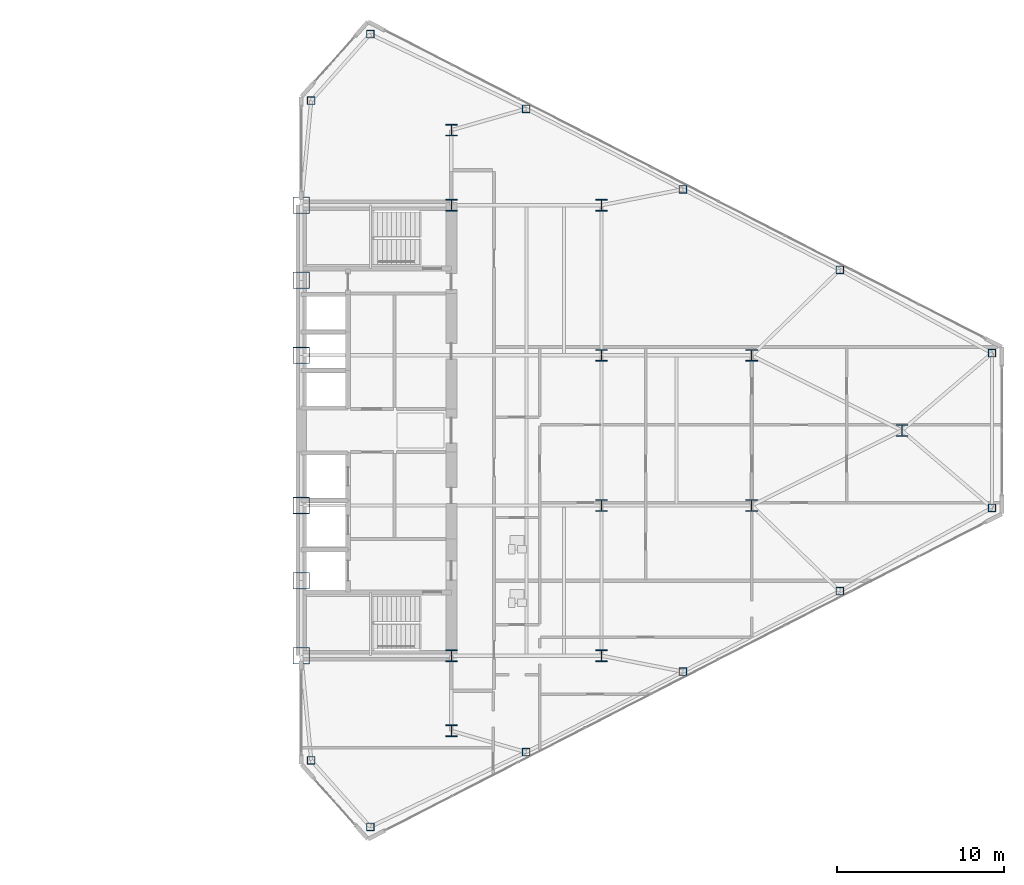
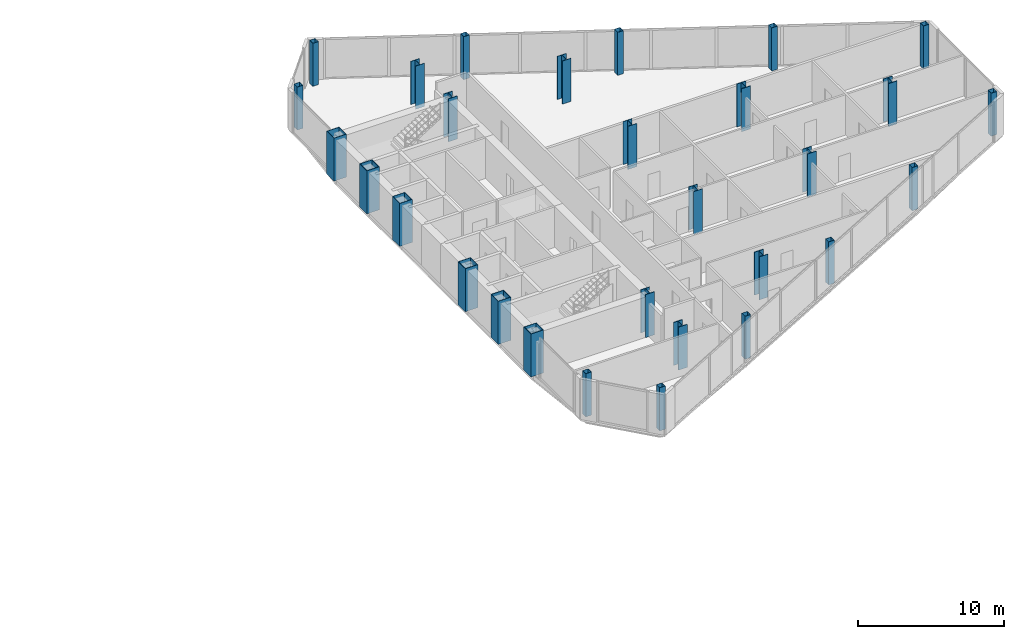
# One storey, part 2 of 23: 29 columns.
"""IFC4 building model written with IfcOpenShell, lengths in metres."""

import ifcopenshell
import ifcopenshell.guid

model = None  # the IFC model being written
_history = None  # IfcOwnerHistory: only IFC2X3 demands one
_inside = {}  # id of a spatial element -> (the spatial element, [elements in it])
_under = {}  # id of a project, library or spatial element -> (it, [spatial elements below it])
_declared = {}  # id of a project -> (the project, [libraries it declares])
_typed = {}  # id of a type object -> (the type object, [elements of that type])
_made_of = {}  # id of a material, layer set ... -> (it, [elements and type objects made of it])


def new_model(schema):
    """Start an empty IFC model of exactly this schema.

    Asked for "IFC4X3", IfcOpenShell would pick the latest addendum, in which some entities
    have other attributes; the version numbers below select the first issue.
    IFC2X3 requires an IfcOwnerHistory on every rooted entity: one is made here for all.
    """
    global model, _history
    if schema == "IFC4X3":
        model = ifcopenshell.file(schema_version=(4, 3, 0, 0))
    else:
        model = ifcopenshell.file(schema=schema)
    _inside.clear()
    _under.clear()
    _declared.clear()
    _typed.clear()
    _made_of.clear()
    _history = None
    if model.schema == "IFC2X3":
        org = make("IfcOrganization", Name="unknown")
        user = make(
            "IfcPersonAndOrganization",
            ThePerson=make("IfcPerson", FamilyName="unknown"),
            TheOrganization=org,
        )
        app = make(
            "IfcApplication",
            ApplicationDeveloper=org,
            Version="unknown",
            ApplicationFullName="unknown",
            ApplicationIdentifier="unknown",
        )
        _history = make(
            "IfcOwnerHistory",
            OwningUser=user,
            OwningApplication=app,
            ChangeAction="ADDED",
            CreationDate=0,
        )
    return model


def make(cls, **values):
    """One entity of the class cls with the attributes given. An attribute that is None is left unset."""
    return model.create_entity(
        cls, **{name: value for name, value in values.items() if value is not None}
    )


def rooted(cls, **values):
    """An entity with a GlobalId (a new one), such as an element, a storey or a relation."""
    return make(cls, GlobalId=ifcopenshell.guid.new(), OwnerHistory=_history, **values)


def si_unit(unit_type, name, prefix=None):
    """IfcSIUnit, for example si_unit("LENGTHUNIT", "METRE", prefix="MILLI")."""
    return make("IfcSIUnit", UnitType=unit_type, Prefix=prefix, Name=name)


def assignment(units):
    """IfcUnitAssignment: the units of a project."""
    return None if units is None else make("IfcUnitAssignment", Units=units)


def point(xyz):
    """IfcCartesianPoint."""
    return None if xyz is None else make("IfcCartesianPoint", Coordinates=xyz)


def direction(xyz):
    """IfcDirection."""
    return None if xyz is None else make("IfcDirection", DirectionRatios=xyz)


def frame(location, z_axis=None, x_axis=None):
    """IfcAxis2Placement3D, a coordinate frame: its origin and axes. An axis left out is left unset."""
    return make(
        "IfcAxis2Placement3D",
        Location=point(location),
        Axis=direction(z_axis),
        RefDirection=direction(x_axis),
    )


def frame_2d(location, x_axis=None):
    """IfcAxis2Placement2D, a coordinate frame in the plane: its origin and x axis."""
    return make(
        "IfcAxis2Placement2D", Location=point(location), RefDirection=direction(x_axis)
    )


def origin():
    """The frame at (0, 0, 0) with its axes left unset."""
    return frame((0.0, 0.0, 0.0))


def origin_2d():
    """The frame at (0, 0) in the plane with its x axis left unset."""
    return frame_2d((0.0, 0.0))


def place(relative_to, where):
    """IfcLocalPlacement: puts the frame where relative to a parent placement (None: the world)."""
    return make(
        "IfcLocalPlacement", PlacementRelTo=relative_to, RelativePlacement=where
    )


def context(
    kind, dimensions, precision=None, world=None, true_north=None, identifier=None
):
    """IfcGeometricRepresentationContext, for example the 3D "Model" context."""
    return make(
        "IfcGeometricRepresentationContext",
        ContextIdentifier=identifier,
        ContextType=kind,
        CoordinateSpaceDimension=dimensions,
        Precision=precision,
        WorldCoordinateSystem=world,
        TrueNorth=true_north,
    )


def subcontext(parent, identifier, kind, view, scale=None):
    """IfcGeometricRepresentationSubContext, for example "Body" below "Model"."""
    return make(
        "IfcGeometricRepresentationSubContext",
        ContextIdentifier=identifier,
        ContextType=kind,
        ParentContext=parent,
        TargetScale=scale,
        TargetView=view,
    )


def project(units=None, contexts=None):
    """IfcProject with its units and contexts."""
    return rooted(
        "IfcProject",
        Name="project",
        RepresentationContexts=contexts,
        UnitsInContext=assignment(units),
    )


def spatial(cls, under=None, at=None, **own):
    """A site, building, storey or space (cls), placed at a placement, below another one or the project."""
    s = rooted(cls, ObjectPlacement=at, **own)
    if under is not None:
        _under.setdefault(under.id(), (under, []))[1].append(s)
    return s


def profile(cls, at=None, kind="AREA", **sizes):
    """A parametric profile (cls). Its sizes go by their IFC names, for example OverallWidth=200.0."""
    return make(cls, ProfileType=kind, Position=at, **sizes)


def hollow_rectangle(**sizes):
    """IfcRectangleHollowProfileDef."""
    return profile("IfcRectangleHollowProfileDef", **sizes)


def i_section(**sizes):
    """IfcIShapeProfileDef."""
    return profile("IfcIShapeProfileDef", **sizes)


def extrude(swept, where, along, depth):
    """IfcExtrudedAreaSolid: the profile swept, set in the frame where, extruded along a direction by depth."""
    return make(
        "IfcExtrudedAreaSolid",
        SweptArea=swept,
        Position=where,
        ExtrudedDirection=direction(along),
        Depth=depth,
    )


def shape(context_of_items, identifier, shape_type, items):
    """IfcShapeRepresentation: the items that make up one representation, for example the "Body"."""
    return make(
        "IfcShapeRepresentation",
        ContextOfItems=context_of_items,
        RepresentationIdentifier=identifier,
        RepresentationType=shape_type,
        Items=items,
    )


def source(mapping_origin, context_of_items, identifier, shape_type, items):
    """IfcRepresentationMap: a shape defined once, which mapped items show again and again."""
    return make(
        "IfcRepresentationMap",
        MappingOrigin=mapping_origin,
        MappedRepresentation=shape(context_of_items, identifier, shape_type, items),
    )


def transform(
    local_origin,
    x_axis=None,
    y_axis=None,
    z_axis=None,
    scale=None,
    scale2=None,
    scale3=None,
    uniform=True,
):
    """IfcCartesianTransformationOperator3D, or its non-uniform kind. x_axis, y_axis, z_axis: its Axis1, 2, 3."""
    if uniform:
        return make(
            "IfcCartesianTransformationOperator3D",
            Axis1=direction(x_axis),
            Axis2=direction(y_axis),
            LocalOrigin=point(local_origin),
            Scale=scale,
            Axis3=direction(z_axis),
        )
    return make(
        "IfcCartesianTransformationOperator3DnonUniform",
        Axis1=direction(x_axis),
        Axis2=direction(y_axis),
        LocalOrigin=point(local_origin),
        Scale=scale,
        Axis3=direction(z_axis),
        Scale2=scale2,
        Scale3=scale3,
    )


def mapped(mapping_source, mapping_target):
    """IfcMappedItem: shows the shape of a source again, moved by a transform."""
    return make(
        "IfcMappedItem", MappingSource=mapping_source, MappingTarget=mapping_target
    )


def material(Name=None, Category=None):
    """IfcMaterial."""
    return make("IfcMaterial", Name=Name, Category=Category)


def material_profile(
    of_material, cross_section, Name=None, Category=None, Priority=None
):
    """IfcMaterialProfile: a cross section and its material."""
    return make(
        "IfcMaterialProfile",
        Name=Name,
        Material=of_material,
        Profile=cross_section,
        Priority=Priority,
        Category=Category,
    )


def profile_set(profiles, Name=None, composite=None):
    """IfcMaterialProfileSet."""
    return make(
        "IfcMaterialProfileSet",
        Name=Name,
        MaterialProfiles=profiles,
        CompositeProfile=composite,
    )


def made_of(thing, what):
    """Note that an element or type object is made of a material, layer set ...; save() writes the relation."""
    if what is not None:
        _made_of.setdefault(what.id(), (what, []))[1].append(thing)
    return thing


def type_object(cls, material=None, **own):
    """A type object (cls), such as IfcWallType, which elements share."""
    return made_of(rooted(cls, **own), material)


def type_shapes(of_type, sources):
    """Give a type object the sources (RepresentationMaps) that its elements show as mapped items."""
    of_type.RepresentationMaps = sources


def element(
    cls,
    number,
    at=None,
    inside=None,
    cuts=None,
    type_object=None,
    material=None,
    context=None,
    identifier="Body",
    shape_type=None,
    held_by="IfcProductDefinitionShape",
    body=None,
    shapes=None,
    **own,
):
    """One element of the class cls, such as IfcWall. Its Tag is "e" and its number.

    at: its placement. inside: the storey or other place that contains it. cuts: it is an
    opening in that element (IfcRelVoidsElement). A single representation is given by context,
    identifier, shape_type and body (its items); several are given by shapes. held_by: the class
    of the entity that holds the representations. save() writes the other relations.
    """
    e = rooted(cls, Tag="e%d" % number, ObjectPlacement=at, **own)
    if body is not None:
        shapes = [shape(context, identifier, shape_type, body)]
    if shapes is not None:
        e.Representation = make(held_by, Representations=shapes)
    if inside is not None:
        _inside.setdefault(inside.id(), (inside, []))[1].append(e)
    if cuts is not None:
        rooted(
            "IfcRelVoidsElement", RelatingBuildingElement=cuts, RelatedOpeningElement=e
        )
    if type_object is not None:
        _typed.setdefault(type_object.id(), (type_object, []))[1].append(e)
    return made_of(e, material)


def aggregate(whole, parts):
    """IfcRelAggregates: a whole, such as a stair, and the parts it consists of."""
    return rooted("IfcRelAggregates", RelatingObject=whole, RelatedObjects=parts)


def save(model, path):
    """Write the relations noted so far, then the file.

    IfcRelAggregates (storeys below a building ...), IfcRelContainedInSpatialStructure (elements
    in a storey), IfcRelDefinesByType, IfcRelAssociatesMaterial and IfcRelDeclares: one each for
    every whole, place, type object, material and project.
    """
    for whole, parts in _under.values():
        aggregate(whole, parts)
    for where, things in _inside.values():
        rooted(
            "IfcRelContainedInSpatialStructure",
            RelatedElements=things,
            RelatingStructure=where,
        )
    for kind, things in _typed.values():
        rooted("IfcRelDefinesByType", RelatedObjects=things, RelatingType=kind)
    for what, things in _made_of.values():
        rooted("IfcRelAssociatesMaterial", RelatedObjects=things, RelatingMaterial=what)
    for by, libraries in _declared.values():
        rooted("IfcRelDeclares", RelatingContext=by, RelatedDefinitions=libraries)
    model.write(path)


model = new_model("IFC4")

# Units and contexts
model_context = context("Model", 3, precision=1e-05, world=origin(), true_north=direction((0.0, 1.0)))
body_context = subcontext(model_context, "Body", "Model", "MODEL_VIEW")
ifc_project = project(units=[si_unit("LENGTHUNIT", "METRE"), si_unit("AREAUNIT", "SQUARE_METRE"), si_unit("VOLUMEUNIT", "CUBIC_METRE"), si_unit("PLANEANGLEUNIT", "RADIAN"), si_unit("MASSUNIT", "GRAM", prefix="KILO")], contexts=[model_context])

# Site, building, storey
site_placement = place(None, origin())
site = spatial("IfcSite", under=ifc_project, at=site_placement, CompositionType="ELEMENT")
building_placement = place(site_placement, origin())
building = spatial("IfcBuilding", under=site, at=building_placement, Name="Seokmaru Belvedere", CompositionType="ELEMENT")
storey_placement = place(building_placement, frame((0.0, 0.0, 128.39990234375)))
storey = spatial("IfcBuildingStorey", under=building, at=storey_placement, Name="L34", CompositionType="ELEMENT", Elevation=128.39990234375)

# Columns
ifc_material_1 = material(Name="Steel HSA650 (650 MPa)", Category="steel")
ifc_material_profile_1 = material_profile(ifc_material_1, hollow_rectangle(XDim=1.0, YDim=1.0, WallThickness=0.0419921875, at=origin_2d()), Name="BOX-1000x1000x42")
ifc_profile_set_1 = profile_set([ifc_material_profile_1], Name="Steel HSA650 (650 MPa)")
column_type_1 = type_object("IfcColumnType", Name="Portal Spine Column BOX-1000", PredefinedType="COLUMN", material=ifc_profile_set_1)
shared_shape_1 = source(origin(), body_context, "Body", "SweptSolid", [
    extrude(hollow_rectangle(XDim=1.0, YDim=1.0, WallThickness=0.0419921875, at=origin_2d()), origin(), (0.0, 0.0, 1.0), 3.60009765625),
])
type_shapes(column_type_1, [shared_shape_1])
for number, where, z_axis, x_axis, name in (
    (1, (27.5, -13.5, 0.0), (0.0, 0.0, 1.0), (1.0, 0.0, 0.0), "L34 Column ES1"),
    (2, (27.5, -9.0, 0.0), (0.0, 0.0, 1.0), (1.0, 0.0, 0.0), "L34 Column ES2"),
    (3, (27.5, -4.5, 0.0), (0.0, 0.0, 1.0), (1.0, 0.0, 0.0), "L34 Column ES3"),
    (4, (27.5, 4.5, 0.0), (0.0, 0.0, 1.0), (1.0, 0.0, 0.0), "L34 Column ES4"),
    (5, (27.5, 9.0, 0.0), (0.0, 0.0, 1.0), (1.0, 0.0, 0.0), "L34 Column ES5"),
    (6, (27.5, 13.5, 0.0), (0.0, 0.0, 1.0), (1.0, 0.0, 0.0), "L34 Column ES6"),
):
    element("IfcColumn", number, at=place(storey_placement, frame(where, z_axis=z_axis, x_axis=x_axis)), inside=storey, type_object=column_type_1, Name=name, PredefinedType="COLUMN", context=body_context, shape_type="MappedRepresentation", body=[
        mapped(shared_shape_1, transform((0.0, 0.0, 0.0), scale=1.0)),
    ])
ifc_material_2 = material(Name="Steel SM355 (355 MPa)", Category="steel")
ifc_material_profile_2 = material_profile(ifc_material_2, i_section(OverallWidth=0.699951171875, OverallDepth=0.699951171875, WebThickness=0.028076171875, FlangeThickness=0.044921875, at=origin_2d()), Name="H-700x700x28x45")
ifc_profile_set_2 = profile_set([ifc_material_profile_2], Name="Steel SM355 (355 MPa)")
column_type_2 = type_object("IfcColumnType", Name="Mid Interior Column H-700", PredefinedType="COLUMN", material=ifc_profile_set_2)
shared_shape_2 = source(origin(), body_context, "Body", "SweptSolid", [
    extrude(i_section(OverallWidth=0.699951171875, OverallDepth=0.699951171875, WebThickness=0.028076171875, FlangeThickness=0.044921875, at=origin_2d()), origin(), (0.0, 0.0, 1.0), 3.60009765625),
])
type_shapes(column_type_2, [shared_shape_2])
for number, where, z_axis, x_axis, name in (
    (7, (36.5, -18.0, 0.0), (0.0, 0.0, 1.0), (1.0, 0.0, 0.0), "L34 Column EC1"),
    (8, (36.5, -13.5, 0.0), (0.0, 0.0, 1.0), (1.0, 0.0, 0.0), "L34 Column EC2"),
    (9, (36.5, 13.5, 0.0), (0.0, 0.0, 1.0), (1.0, 0.0, 0.0), "L34 Column EC3"),
    (10, (36.5, 18.0, 0.0), (0.0, 0.0, 1.0), (1.0, 0.0, 0.0), "L34 Column EC4"),
    (11, (45.5, -13.5, 0.0), (0.0, 0.0, 1.0), (1.0, 0.0, 0.0), "L34 Column EG5_1"),
    (12, (45.5, -4.5, 0.0), (0.0, 0.0, 1.0), (1.0, 0.0, 0.0), "L34 Column EG5_2"),
    (13, (45.5, 4.5, 0.0), (0.0, 0.0, 1.0), (1.0, 0.0, 0.0), "L34 Column EG5_3"),
    (14, (45.5, 13.5, 0.0), (0.0, 0.0, 1.0), (1.0, 0.0, 0.0), "L34 Column EG5_4"),
    (15, (54.5, -4.5, 0.0), (0.0, 0.0, 1.0), (1.0, 0.0, 0.0), "L34 Column EG4P_1"),
    (16, (54.5, 4.5, 0.0), (0.0, 0.0, 1.0), (1.0, 0.0, 0.0), "L34 Column EG4P_2"),
    (17, (63.5, 0.0, 0.0), (0.0, 0.0, 1.0), (1.0, 0.0, 0.0), "L34 Column EG3P_1"),
):
    element("IfcColumn", number, at=place(storey_placement, frame(where, z_axis=z_axis, x_axis=x_axis)), inside=storey, type_object=column_type_2, Name=name, PredefinedType="COLUMN", context=body_context, shape_type="MappedRepresentation", body=[
        mapped(shared_shape_2, transform((0.0, 0.0, 0.0), scale=1.0)),
    ])
ifc_material_profile_3 = material_profile(ifc_material_2, hollow_rectangle(XDim=0.449951171875, YDim=0.449951171875, WallThickness=0.01806640625, at=origin_2d()), Name="HSS-450x450x18")
ifc_profile_set_3 = profile_set([ifc_material_profile_3], Name="Steel SM355 (355 MPa)")
column_type_3 = type_object("IfcColumnType", Name="Perimeter Facet Column HSS-450", PredefinedType="COLUMN", material=ifc_profile_set_3)
shared_shape_3 = source(origin(), body_context, "Body", "SweptSolid", [
    extrude(hollow_rectangle(XDim=0.449951171875, YDim=0.449951171875, WallThickness=0.01806640625, at=origin_2d()), origin(), (0.0, 0.0, 1.0), 3.60009765625),
])
type_shapes(column_type_3, [shared_shape_3])
for number, where, z_axis, x_axis, name in (
    (18, (31.6396484375, -23.75390625, 0.0), (0.0, 0.0, 1.0), (1.0, 0.0, 0.0), "L34 Column EF1"),
    (19, (68.89990234375, -4.633544921875, 0.0), (0.0, 0.0, 1.0), (1.0, 0.0, 0.0), "L34 Column EF2"),
    (20, (68.89990234375, 4.633544921875, 0.0), (0.0, 0.0, 1.0), (1.0, 0.0, 0.0), "L34 Column EF3"),
    (21, (31.6396484375, 23.75390625, 0.0), (0.0, 0.0, 1.0), (1.0, 0.0, 0.0), "L34 Column EF4"),
    (22, (28.10009765625, 19.77197265625, 0.0), (0.0, 0.0, 1.0), (1.0, 0.0, 0.0), "L34 Column EF5"),
    (23, (28.10009765625, -19.77197265625, 0.0), (0.0, 0.0, 1.0), (1.0, 0.0, 0.0), "L34 Column EF6"),
    (24, (40.975830078125, -19.277587890625, 0.0), (0.0, 0.0, 1.0), (1.0, 0.0, 0.0), "L34 Column EFLK_S1"),
    (25, (50.377197265625, -14.453369140625, 0.0), (0.0, 0.0, 1.0), (1.0, 0.0, 0.0), "L34 Column EFLK_S2"),
    (26, (59.778564453125, -9.62890625, 0.0), (0.0, 0.0, 1.0), (1.0, 0.0, 0.0), "L34 Column EFLK_S3"),
    (27, (40.975830078125, 19.277587890625, 0.0), (0.0, 0.0, 1.0), (1.0, 0.0, 0.0), "L34 Column EFLK_N1"),
    (28, (50.377197265625, 14.453369140625, 0.0), (0.0, 0.0, 1.0), (1.0, 0.0, 0.0), "L34 Column EFLK_N2"),
    (29, (59.778564453125, 9.62890625, 0.0), (0.0, 0.0, 1.0), (1.0, 0.0, 0.0), "L34 Column EFLK_N3"),
):
    element("IfcColumn", number, at=place(storey_placement, frame(where, z_axis=z_axis, x_axis=x_axis)), inside=storey, type_object=column_type_3, Name=name, PredefinedType="COLUMN", context=body_context, shape_type="MappedRepresentation", body=[
        mapped(shared_shape_3, transform((0.0, 0.0, 0.0), scale=1.0)),
    ])

save(model, "model.ifc")
